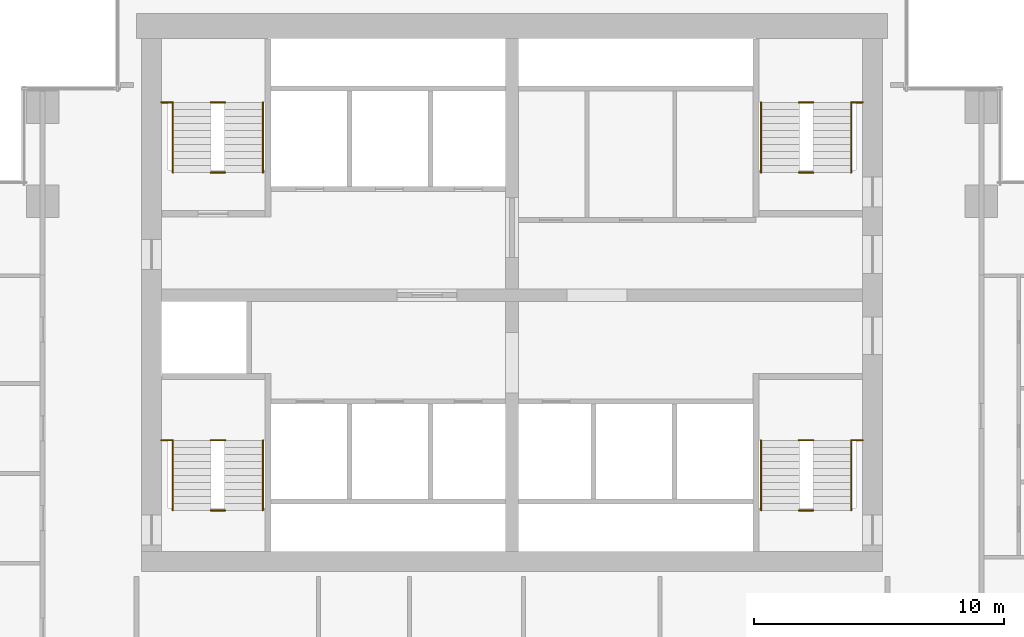
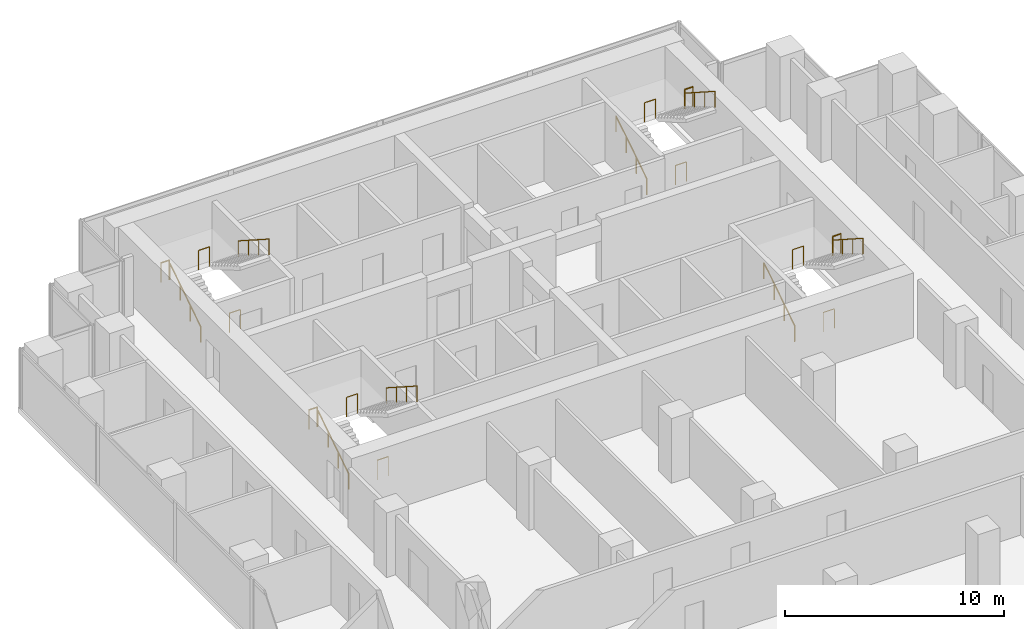
# One storey, part 10 of 10: 20 railings.
"""IFC4 building model written with IfcOpenShell, lengths in metres."""

from ifc_helpers import new_model, si_unit, direction, frame, origin, origin_2d, place, context, subcontext, project, spatial, circle, extrude, material, type_object, element, save


model = new_model("IFC4")

# Units and contexts
model_context = context("Model", 3, precision=1e-05, world=origin(), true_north=direction((0.0, 1.0)))
body_context = subcontext(model_context, "Body", "Model", "MODEL_VIEW")
ifc_project = project(units=[si_unit("LENGTHUNIT", "METRE"), si_unit("AREAUNIT", "SQUARE_METRE"), si_unit("VOLUMEUNIT", "CUBIC_METRE"), si_unit("PLANEANGLEUNIT", "RADIAN"), si_unit("MASSUNIT", "GRAM", prefix="KILO")], contexts=[model_context])

# Site, building, storey
site_placement = place(None, origin())
site = spatial("IfcSite", under=ifc_project, at=site_placement, CompositionType="ELEMENT")
building_placement = place(site_placement, origin())
building = spatial("IfcBuilding", under=site, at=building_placement, Name="Pilkhan Gate Tower", CompositionType="ELEMENT")
storey_placement = place(building_placement, frame((0.0, 0.0, 132.39990234375)))
storey = spatial("IfcBuildingStorey", under=building, at=storey_placement, Name="L33", CompositionType="ELEMENT", Elevation=132.39990234375)

# Railings
ifc_material_1 = material(Name="Black powder-coated steel tube", Category="steel")
railing_type_1 = type_object("IfcRailingType", Name="Stair handrail HR1", PredefinedType="HANDRAIL", material=ifc_material_1)
railing_1_placement = place(storey_placement, frame((84.949951171875, 73.89990234375, 0.0)))
element("IfcRailing", 1, at=railing_1_placement, inside=storey, type_object=railing_type_1, Name="Stair ST1 handrail L33", PredefinedType="HANDRAIL", context=body_context, shape_type="SweptSolid", body=[
    extrude(circle(Radius=0.02392578125, at=origin_2d()), frame((0.0, 0.0, 0.8759765625), z_axis=(0.0, 0.841176092368, 0.540761298198), x_axis=(-1.0, 0.0, 0.0)), (0.0, 0.0, 1.0), 3.32861328125),
    extrude(circle(Radius=0.02099609375, at=origin_2d()), origin(), (0.0, 0.0, 1.0), 0.851806640625),
    extrude(circle(Radius=0.02099609375, at=origin_2d()), frame((0.0, 0.933349609375, 0.60009765625)), (0.0, 0.0, 1.0), 0.851806640625),
    extrude(circle(Radius=0.02099609375, at=origin_2d()), frame((0.0, 1.86669921875, 1.199951171875)), (0.0, 0.0, 1.0), 0.851806640625),
    extrude(circle(Radius=0.02099609375, at=origin_2d()), frame((0.0, 2.800048828125, 1.800048828125)), (0.0, 0.0, 1.0), 0.851806640625),
])
railing_2_placement = place(storey_placement, frame((88.550048828125, 76.699951171875, 1.800048828125)))
element("IfcRailing", 2, at=railing_2_placement, inside=storey, type_object=railing_type_1, Name="Stair ST1 handrail L33", PredefinedType="HANDRAIL", context=body_context, shape_type="SweptSolid", body=[
    extrude(circle(Radius=0.02392578125, at=origin_2d()), frame((0.0, 0.0, 0.8759765625), z_axis=(0.0, -0.841176092368, 0.540761298198), x_axis=(1.0, 0.0, 0.0)), (0.0, 0.0, 1.0), 3.32861328125),
    extrude(circle(Radius=0.02099609375, at=origin_2d()), origin(), (0.0, 0.0, 1.0), 0.851806640625),
    extrude(circle(Radius=0.02099609375, at=origin_2d()), frame((0.0, -0.933349609375, 0.60009765625)), (0.0, 0.0, 1.0), 0.851806640625),
    extrude(circle(Radius=0.02099609375, at=origin_2d()), frame((0.0, -1.86669921875, 1.199951171875)), (0.0, 0.0, 1.0), 0.851806640625),
    extrude(circle(Radius=0.02099609375, at=origin_2d()), frame((0.0, -2.800048828125, 1.800048828125)), (0.0, 0.0, 1.0), 0.851806640625),
])
railing_3_placement = place(storey_placement, frame((61.449951171875, 73.89990234375, 0.0)))
element("IfcRailing", 3, at=railing_3_placement, inside=storey, type_object=railing_type_1, Name="Stair ST2 handrail L33", PredefinedType="HANDRAIL", context=body_context, shape_type="SweptSolid", body=[
    extrude(circle(Radius=0.02392578125, at=origin_2d()), frame((0.0, 0.0, 0.8759765625), z_axis=(0.0, 0.841176092368, 0.540761298198), x_axis=(-1.0, 0.0, 0.0)), (0.0, 0.0, 1.0), 3.32861328125),
    extrude(circle(Radius=0.02099609375, at=origin_2d()), origin(), (0.0, 0.0, 1.0), 0.851806640625),
    extrude(circle(Radius=0.02099609375, at=origin_2d()), frame((0.0, 0.933349609375, 0.60009765625)), (0.0, 0.0, 1.0), 0.851806640625),
    extrude(circle(Radius=0.02099609375, at=origin_2d()), frame((0.0, 1.86669921875, 1.199951171875)), (0.0, 0.0, 1.0), 0.851806640625),
    extrude(circle(Radius=0.02099609375, at=origin_2d()), frame((0.0, 2.800048828125, 1.800048828125)), (0.0, 0.0, 1.0), 0.851806640625),
])
railing_4_placement = place(storey_placement, frame((65.050048828125, 76.699951171875, 1.800048828125)))
element("IfcRailing", 4, at=railing_4_placement, inside=storey, type_object=railing_type_1, Name="Stair ST2 handrail L33", PredefinedType="HANDRAIL", context=body_context, shape_type="SweptSolid", body=[
    extrude(circle(Radius=0.02392578125, at=origin_2d()), frame((0.0, 0.0, 0.8759765625), z_axis=(0.0, -0.841176092368, 0.540761298198), x_axis=(1.0, 0.0, 0.0)), (0.0, 0.0, 1.0), 3.32861328125),
    extrude(circle(Radius=0.02099609375, at=origin_2d()), origin(), (0.0, 0.0, 1.0), 0.851806640625),
    extrude(circle(Radius=0.02099609375, at=origin_2d()), frame((0.0, -0.933349609375, 0.60009765625)), (0.0, 0.0, 1.0), 0.851806640625),
    extrude(circle(Radius=0.02099609375, at=origin_2d()), frame((0.0, -1.86669921875, 1.199951171875)), (0.0, 0.0, 1.0), 0.851806640625),
    extrude(circle(Radius=0.02099609375, at=origin_2d()), frame((0.0, -2.800048828125, 1.800048828125)), (0.0, 0.0, 1.0), 0.851806640625),
])
railing_5_placement = place(storey_placement, frame((61.449951171875, 87.39990234375, 0.0)))
element("IfcRailing", 5, at=railing_5_placement, inside=storey, type_object=railing_type_1, Name="Stair ST3 handrail L33", PredefinedType="HANDRAIL", context=body_context, shape_type="SweptSolid", body=[
    extrude(circle(Radius=0.02392578125, at=origin_2d()), frame((0.0, 0.0, 0.8759765625), z_axis=(0.0, 0.841176092368, 0.540761298198), x_axis=(-1.0, 0.0, 0.0)), (0.0, 0.0, 1.0), 3.32861328125),
    extrude(circle(Radius=0.02099609375, at=origin_2d()), origin(), (0.0, 0.0, 1.0), 0.851806640625),
    extrude(circle(Radius=0.02099609375, at=origin_2d()), frame((0.0, 0.933349609375, 0.60009765625)), (0.0, 0.0, 1.0), 0.851806640625),
    extrude(circle(Radius=0.02099609375, at=origin_2d()), frame((0.0, 1.86669921875, 1.199951171875)), (0.0, 0.0, 1.0), 0.851806640625),
    extrude(circle(Radius=0.02099609375, at=origin_2d()), frame((0.0, 2.800048828125, 1.800048828125)), (0.0, 0.0, 1.0), 0.851806640625),
])
railing_6_placement = place(storey_placement, frame((65.050048828125, 90.199951171875, 1.800048828125)))
element("IfcRailing", 6, at=railing_6_placement, inside=storey, type_object=railing_type_1, Name="Stair ST3 handrail L33", PredefinedType="HANDRAIL", context=body_context, shape_type="SweptSolid", body=[
    extrude(circle(Radius=0.02392578125, at=origin_2d()), frame((0.0, 0.0, 0.8759765625), z_axis=(0.0, -0.841176092368, 0.540761298198), x_axis=(1.0, 0.0, 0.0)), (0.0, 0.0, 1.0), 3.32861328125),
    extrude(circle(Radius=0.02099609375, at=origin_2d()), origin(), (0.0, 0.0, 1.0), 0.851806640625),
    extrude(circle(Radius=0.02099609375, at=origin_2d()), frame((0.0, -0.933349609375, 0.60009765625)), (0.0, 0.0, 1.0), 0.851806640625),
    extrude(circle(Radius=0.02099609375, at=origin_2d()), frame((0.0, -1.86669921875, 1.199951171875)), (0.0, 0.0, 1.0), 0.851806640625),
    extrude(circle(Radius=0.02099609375, at=origin_2d()), frame((0.0, -2.800048828125, 1.800048828125)), (0.0, 0.0, 1.0), 0.851806640625),
])
railing_7_placement = place(storey_placement, frame((84.949951171875, 87.39990234375, 0.0)))
element("IfcRailing", 7, at=railing_7_placement, inside=storey, type_object=railing_type_1, Name="Stair ST4 handrail L33", PredefinedType="HANDRAIL", context=body_context, shape_type="SweptSolid", body=[
    extrude(circle(Radius=0.02392578125, at=origin_2d()), frame((0.0, 0.0, 0.8759765625), z_axis=(0.0, 0.841176092368, 0.540761298198), x_axis=(-1.0, 0.0, 0.0)), (0.0, 0.0, 1.0), 3.32861328125),
    extrude(circle(Radius=0.02099609375, at=origin_2d()), origin(), (0.0, 0.0, 1.0), 0.851806640625),
    extrude(circle(Radius=0.02099609375, at=origin_2d()), frame((0.0, 0.933349609375, 0.60009765625)), (0.0, 0.0, 1.0), 0.851806640625),
    extrude(circle(Radius=0.02099609375, at=origin_2d()), frame((0.0, 1.86669921875, 1.199951171875)), (0.0, 0.0, 1.0), 0.851806640625),
    extrude(circle(Radius=0.02099609375, at=origin_2d()), frame((0.0, 2.800048828125, 1.800048828125)), (0.0, 0.0, 1.0), 0.851806640625),
])
railing_8_placement = place(storey_placement, frame((88.550048828125, 90.199951171875, 1.800048828125)))
element("IfcRailing", 8, at=railing_8_placement, inside=storey, type_object=railing_type_1, Name="Stair ST4 handrail L33", PredefinedType="HANDRAIL", context=body_context, shape_type="SweptSolid", body=[
    extrude(circle(Radius=0.02392578125, at=origin_2d()), frame((0.0, 0.0, 0.8759765625), z_axis=(0.0, -0.841176092368, 0.540761298198), x_axis=(1.0, 0.0, 0.0)), (0.0, 0.0, 1.0), 3.32861328125),
    extrude(circle(Radius=0.02099609375, at=origin_2d()), origin(), (0.0, 0.0, 1.0), 0.851806640625),
    extrude(circle(Radius=0.02099609375, at=origin_2d()), frame((0.0, -0.933349609375, 0.60009765625)), (0.0, 0.0, 1.0), 0.851806640625),
    extrude(circle(Radius=0.02099609375, at=origin_2d()), frame((0.0, -1.86669921875, 1.199951171875)), (0.0, 0.0, 1.0), 0.851806640625),
    extrude(circle(Radius=0.02099609375, at=origin_2d()), frame((0.0, -2.800048828125, 1.800048828125)), (0.0, 0.0, 1.0), 0.851806640625),
])
ifc_material_2 = material(Name="Black powder-coated steel balusters", Category="steel")
railing_type_2 = type_object("IfcRailingType", Name="Stair well guard G3", PredefinedType="GUARDRAIL", material=ifc_material_2)
railing_9_placement = place(storey_placement, frame((88.580078125, 76.699951171875, 1.800048828125)))
element("IfcRailing", 9, at=railing_9_placement, inside=storey, type_object=railing_type_2, Name="Stair ST1 well guard L33", PredefinedType="GUARDRAIL", context=body_context, shape_type="SweptSolid", body=[
    extrude(circle(Radius=0.02392578125, at=origin_2d()), frame((0.0, 0.0, 1.076171875), z_axis=(1.0, 0.0, 0.0), x_axis=(0.0, 1.0, 0.0)), (0.0, 0.0, 1.0), 0.43994140625),
    extrude(circle(Radius=0.02099609375, at=origin_2d()), origin(), (0.0, 0.0, 1.0), 1.052001953125),
    extrude(circle(Radius=0.02099609375, at=origin_2d()), frame((0.43994140625, 0.0, 0.0)), (0.0, 0.0, 1.0), 1.052001953125),
])
for number, where, name in (
    (10, (86.4599609375, 73.89990234375, 0.0), "Stair ST1 well guard L33"),
    (11, (86.4599609375, 76.699951171875, 1.800048828125), "Stair ST1 well guard L33"),
):
    element("IfcRailing", number, at=place(storey_placement, frame(where)), inside=storey, type_object=railing_type_2, Name=name, PredefinedType="GUARDRAIL", context=body_context, shape_type="SweptSolid", body=[
        extrude(circle(Radius=0.02392578125, at=origin_2d()), frame((0.0, 0.0, 1.076171875), z_axis=(1.0, 0.0, 0.0), x_axis=(0.0, 1.0, 0.0)), (0.0, 0.0, 1.0), 0.580078125),
        extrude(circle(Radius=0.02099609375, at=origin_2d()), origin(), (0.0, 0.0, 1.0), 1.052001953125),
        extrude(circle(Radius=0.02099609375, at=origin_2d()), frame((0.580078125, 0.0, 0.0)), (0.0, 0.0, 1.0), 1.052001953125),
    ])
railing_10_placement = place(storey_placement, frame((60.97998046875, 76.699951171875, 1.800048828125)))
element("IfcRailing", 12, at=railing_10_placement, inside=storey, type_object=railing_type_2, Name="Stair ST2 well guard L33", PredefinedType="GUARDRAIL", context=body_context, shape_type="SweptSolid", body=[
    extrude(circle(Radius=0.02392578125, at=origin_2d()), frame((0.0, 0.0, 1.076171875), z_axis=(1.0, 0.0, 0.0), x_axis=(0.0, 1.0, 0.0)), (0.0, 0.0, 1.0), 0.43994140625),
    extrude(circle(Radius=0.02099609375, at=origin_2d()), origin(), (0.0, 0.0, 1.0), 1.052001953125),
    extrude(circle(Radius=0.02099609375, at=origin_2d()), frame((0.43994140625, 0.0, 0.0)), (0.0, 0.0, 1.0), 1.052001953125),
])
for number, where, name in (
    (13, (62.9599609375, 73.89990234375, 0.0), "Stair ST2 well guard L33"),
    (14, (62.9599609375, 76.699951171875, 1.800048828125), "Stair ST2 well guard L33"),
):
    element("IfcRailing", number, at=place(storey_placement, frame(where)), inside=storey, type_object=railing_type_2, Name=name, PredefinedType="GUARDRAIL", context=body_context, shape_type="SweptSolid", body=[
        extrude(circle(Radius=0.02392578125, at=origin_2d()), frame((0.0, 0.0, 1.076171875), z_axis=(1.0, 0.0, 0.0), x_axis=(0.0, 1.0, 0.0)), (0.0, 0.0, 1.0), 0.580078125),
        extrude(circle(Radius=0.02099609375, at=origin_2d()), origin(), (0.0, 0.0, 1.0), 1.052001953125),
        extrude(circle(Radius=0.02099609375, at=origin_2d()), frame((0.580078125, 0.0, 0.0)), (0.0, 0.0, 1.0), 1.052001953125),
    ])
railing_11_placement = place(storey_placement, frame((60.97998046875, 90.199951171875, 1.800048828125)))
element("IfcRailing", 15, at=railing_11_placement, inside=storey, type_object=railing_type_2, Name="Stair ST3 well guard L33", PredefinedType="GUARDRAIL", context=body_context, shape_type="SweptSolid", body=[
    extrude(circle(Radius=0.02392578125, at=origin_2d()), frame((0.0, 0.0, 1.076171875), z_axis=(1.0, 0.0, 0.0), x_axis=(0.0, 1.0, 0.0)), (0.0, 0.0, 1.0), 0.43994140625),
    extrude(circle(Radius=0.02099609375, at=origin_2d()), origin(), (0.0, 0.0, 1.0), 1.052001953125),
    extrude(circle(Radius=0.02099609375, at=origin_2d()), frame((0.43994140625, 0.0, 0.0)), (0.0, 0.0, 1.0), 1.052001953125),
])
for number, where, name in (
    (16, (62.9599609375, 87.39990234375, 0.0), "Stair ST3 well guard L33"),
    (17, (62.9599609375, 90.199951171875, 1.800048828125), "Stair ST3 well guard L33"),
):
    element("IfcRailing", number, at=place(storey_placement, frame(where)), inside=storey, type_object=railing_type_2, Name=name, PredefinedType="GUARDRAIL", context=body_context, shape_type="SweptSolid", body=[
        extrude(circle(Radius=0.02392578125, at=origin_2d()), frame((0.0, 0.0, 1.076171875), z_axis=(1.0, 0.0, 0.0), x_axis=(0.0, 1.0, 0.0)), (0.0, 0.0, 1.0), 0.580078125),
        extrude(circle(Radius=0.02099609375, at=origin_2d()), origin(), (0.0, 0.0, 1.0), 1.052001953125),
        extrude(circle(Radius=0.02099609375, at=origin_2d()), frame((0.580078125, 0.0, 0.0)), (0.0, 0.0, 1.0), 1.052001953125),
    ])
railing_12_placement = place(storey_placement, frame((88.580078125, 90.199951171875, 1.800048828125)))
element("IfcRailing", 18, at=railing_12_placement, inside=storey, type_object=railing_type_2, Name="Stair ST4 well guard L33", PredefinedType="GUARDRAIL", context=body_context, shape_type="SweptSolid", body=[
    extrude(circle(Radius=0.02392578125, at=origin_2d()), frame((0.0, 0.0, 1.076171875), z_axis=(1.0, 0.0, 0.0), x_axis=(0.0, 1.0, 0.0)), (0.0, 0.0, 1.0), 0.43994140625),
    extrude(circle(Radius=0.02099609375, at=origin_2d()), origin(), (0.0, 0.0, 1.0), 1.052001953125),
    extrude(circle(Radius=0.02099609375, at=origin_2d()), frame((0.43994140625, 0.0, 0.0)), (0.0, 0.0, 1.0), 1.052001953125),
])
for number, where, name in (
    (19, (86.4599609375, 87.39990234375, 0.0), "Stair ST4 well guard L33"),
    (20, (86.4599609375, 90.199951171875, 1.800048828125), "Stair ST4 well guard L33"),
):
    element("IfcRailing", number, at=place(storey_placement, frame(where)), inside=storey, type_object=railing_type_2, Name=name, PredefinedType="GUARDRAIL", context=body_context, shape_type="SweptSolid", body=[
        extrude(circle(Radius=0.02392578125, at=origin_2d()), frame((0.0, 0.0, 1.076171875), z_axis=(1.0, 0.0, 0.0), x_axis=(0.0, 1.0, 0.0)), (0.0, 0.0, 1.0), 0.580078125),
        extrude(circle(Radius=0.02099609375, at=origin_2d()), origin(), (0.0, 0.0, 1.0), 1.052001953125),
        extrude(circle(Radius=0.02099609375, at=origin_2d()), frame((0.580078125, 0.0, 0.0)), (0.0, 0.0, 1.0), 1.052001953125),
    ])

save(model, "model.ifc")
